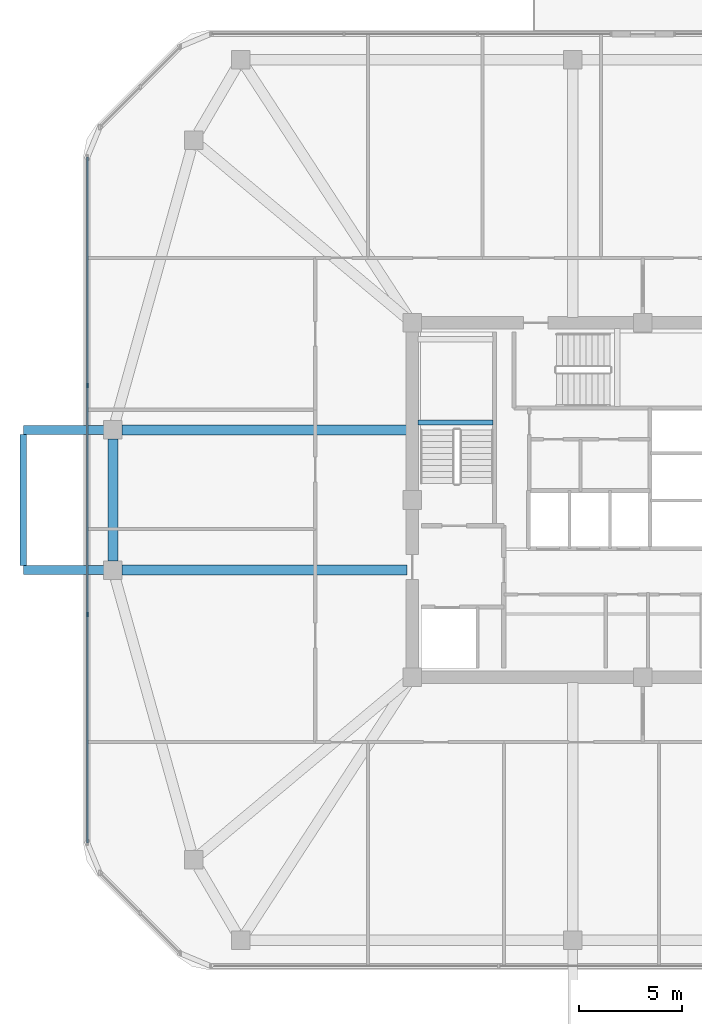
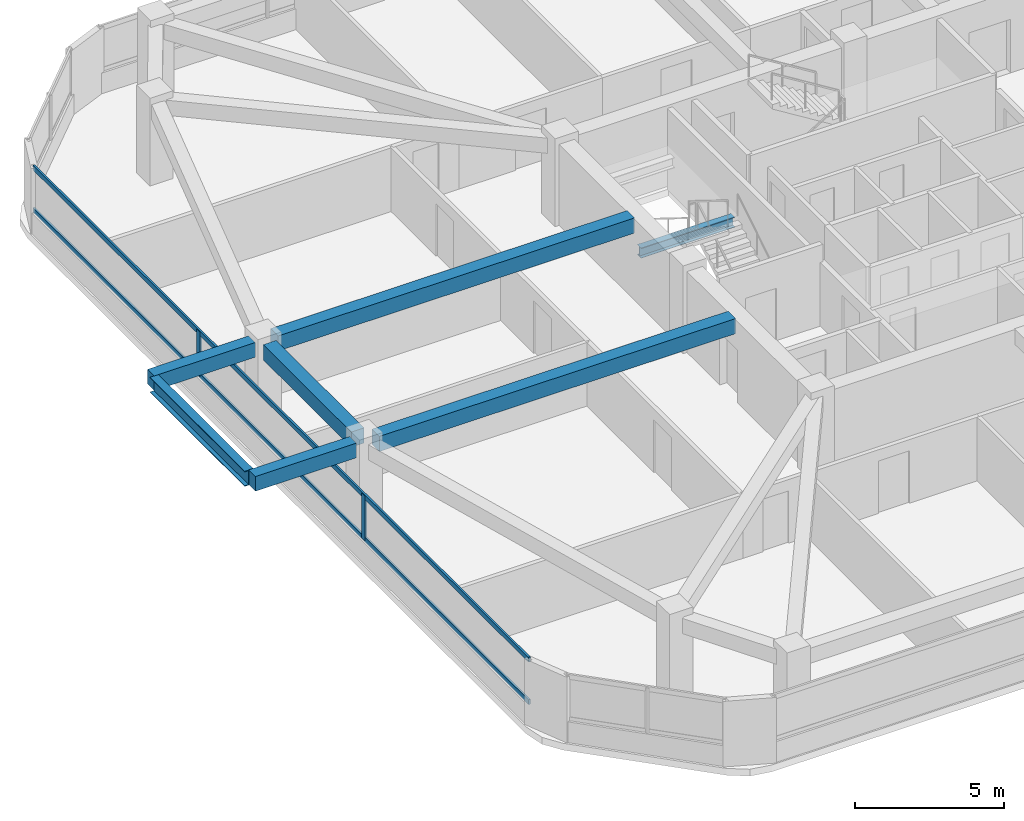
# One storey, part 4 of 14: 7 beams, 4 members, 1 element without a shape of its own.
"""IFC4 building model written with IfcOpenShell, lengths in metres."""

from ifc_helpers import new_model, si_unit, derived_unit, direction, frame, origin, origin_2d, place, context, subcontext, project, spatial, rectangle, i_section, extrude, material, material_profile, profile_set, type_object, element, aggregate, save


model = new_model("IFC4")

# Units and contexts
model_context = context("Model", 3, precision=1e-05, world=origin(), true_north=direction((0.0, 1.0)))
body_context = subcontext(model_context, "Body", "Model", "MODEL_VIEW")
ifc_project = project(units=[si_unit("LENGTHUNIT", "METRE"), si_unit("AREAUNIT", "SQUARE_METRE"), si_unit("VOLUMEUNIT", "CUBIC_METRE"), si_unit("PLANEANGLEUNIT", "RADIAN"), si_unit("MASSUNIT", "GRAM", prefix="KILO"), derived_unit("THERMALTRANSMITTANCEUNIT", [(si_unit("POWERUNIT", "WATT"), 1), (si_unit("LENGTHUNIT", "METRE"), -2), (si_unit("THERMODYNAMICTEMPERATUREUNIT", "KELVIN"), -1)])], contexts=[model_context])

# Site, building, storey
site_placement = place(None, origin())
site = spatial("IfcSite", under=ifc_project, at=site_placement, CompositionType="ELEMENT")
building_placement = place(site_placement, origin())
building = spatial("IfcBuilding", under=site, at=building_placement, Name="Koralith Skygarden Medical Center", CompositionType="ELEMENT")
storey_placement = place(building_placement, frame((0.0, 0.0, 225.179931640625)))
storey = spatial("IfcBuildingStorey", under=building, at=storey_placement, Name="L58", CompositionType="ELEMENT", Elevation=225.179931640625)

# Curtain wall, members
ifc_material_1 = material(Name="Clear Laminated Glass", Category="glass")
curtain_wall_type = type_object("IfcCurtainWallType", Name="CW-5 Zone 4 Flare Biophilic Curtain Wall", PredefinedType="NOTDEFINED", material=ifc_material_1)
curtain_wall_placement = place(storey_placement, origin())
curtain_wall = element("IfcCurtainWall", 1, at=curtain_wall_placement, inside=storey, type_object=curtain_wall_type, Name="Curtain Wall CW-L58-W", PredefinedType="NOTDEFINED")
ifc_material_2 = material(Name="Aluminium 6063-T6", Category="aluminium")
ifc_material_profile_1 = material_profile(ifc_material_2, rectangle(XDim=0.080078125, YDim=0.219970703125, at=origin_2d()), Name="MUL80X220")
ifc_profile_set_1 = profile_set([ifc_material_profile_1], Name="Aluminium 6063-T6")
member_type_1 = type_object("IfcMemberType", Name="CW-5 Extruded Mullion 80x220", PredefinedType="MULLION", material=ifc_profile_set_1)
member_1_placement = place(storey_placement, frame((10.0380859375, 31.447998046875, 0.85009765625), z_axis=(0.0, 0.0, 1.0), x_axis=(1.0, 0.0, 0.0)))
member_1 = element("IfcMember", 2, at=member_1_placement, type_object=member_type_1, Name="CW-L58-W Mullion 2", PredefinedType="MULLION", context=body_context, shape_type="SweptSolid", body=[
    extrude(rectangle(XDim=0.080078125, YDim=0.219970703125, at=origin_2d()), origin(), (0.0, 0.0, 1.0), 1.840087890625),
])
member_2_placement = place(storey_placement, frame((10.0380859375, 20.35205078125, 0.85009765625), z_axis=(0.0, 0.0, 1.0), x_axis=(1.0, 0.0, 0.0)))
member_2 = element("IfcMember", 3, at=member_2_placement, type_object=member_type_1, Name="CW-L58-W Mullion 3", PredefinedType="MULLION", context=body_context, shape_type="SweptSolid", body=[
    extrude(rectangle(XDim=0.080078125, YDim=0.219970703125, at=origin_2d()), origin(), (0.0, 0.0, 1.0), 1.840087890625),
])
ifc_material_profile_2 = material_profile(ifc_material_2, rectangle(XDim=0.074951171875, YDim=0.197998046875, at=origin_2d()), Name="TRN75X198")
ifc_profile_set_2 = profile_set([ifc_material_profile_2], Name="Aluminium 6063-T6")
member_type_2 = type_object("IfcMemberType", Name="CW-5 Thermal Transom 75x198", PredefinedType="USERDEFINED", material=ifc_profile_set_2)
member_3_placement = place(storey_placement, frame((10.0380859375, 42.544921875, 0.900146484375), z_axis=(0.0, -1.0, 0.0), x_axis=(1.0, 0.0, 0.0)))
member_3 = element("IfcMember", 4, at=member_3_placement, type_object=member_type_2, Name="CW-L58-W Transom 1", ObjectType="TRANSOM", PredefinedType="USERDEFINED", context=body_context, shape_type="SweptSolid", body=[
    extrude(rectangle(XDim=0.074951171875, YDim=0.197998046875, at=origin_2d()), origin(), (0.0, 0.0, 1.0), 33.2900390625),
])
member_4_placement = place(storey_placement, frame((10.0380859375, 42.544921875, 2.64013671875), z_axis=(0.0, -1.0, 0.0), x_axis=(1.0, 0.0, 0.0)))
member_4 = element("IfcMember", 5, at=member_4_placement, type_object=member_type_2, Name="CW-L58-W Transom 2", ObjectType="TRANSOM", PredefinedType="USERDEFINED", context=body_context, shape_type="SweptSolid", body=[
    extrude(rectangle(XDim=0.074951171875, YDim=0.197998046875, at=origin_2d()), origin(), (0.0, 0.0, 1.0), 33.2900390625),
])
aggregate(curtain_wall, [member_1, member_2, member_3, member_4])

# Beams
ifc_material_3 = material(Name="Steel ASTM A992 Grade 50", Category="steel")
ifc_material_profile_3 = material_profile(ifc_material_3, i_section(OverallWidth=0.326904296875, OverallDepth=0.6220703125, WebThickness=0.015380859375, FlangeThickness=0.0244140625, at=origin_2d()), Name="W24X131")
ifc_profile_set_3 = profile_set([ifc_material_profile_3], Name="Steel ASTM A992 Grade 50")
beam_type_1 = type_object("IfcBeamType", Name="Cantilever Tie Beam W24X131", PredefinedType="BEAM", material=ifc_profile_set_3)
beam_1_placement = place(storey_placement, frame((6.927978515625, 22.719970703125, 3.029052734375), z_axis=(0.0, 1.0, 0.0), x_axis=(-1.0, 0.0, 0.0)))
element("IfcBeam", 6, at=beam_1_placement, inside=storey, type_object=beam_type_1, Name="L59 W Balcony Tip Tie Beam", PredefinedType="BEAM", context=body_context, shape_type="SweptSolid", body=[
    extrude(i_section(OverallWidth=0.326904296875, OverallDepth=0.6220703125, WebThickness=0.015380859375, FlangeThickness=0.0244140625, at=origin_2d()), origin(), (0.0, 0.0, 1.0), 6.360107421875),
])
ifc_material_profile_4 = material_profile(ifc_material_3, i_section(OverallWidth=0.260009765625, OverallDepth=0.4150390625, WebThickness=0.010009765625, FlangeThickness=0.016845703125, at=origin_2d()), Name="W16X67")
ifc_profile_set_4 = profile_set([ifc_material_profile_4], Name="Steel ASTM A992 Grade 50")
beam_type_2 = type_object("IfcBeamType", Name="Clinical Floor Joist W16X67", PredefinedType="JOIST", material=ifc_profile_set_4)
beam_2_placement = place(storey_placement, frame((26.080078125, 29.659912109375, 1.39208984375), z_axis=(1.0, 0.0, 0.0), x_axis=(0.0, 1.0, 0.0)))
element("IfcBeam", 7, at=beam_2_placement, inside=storey, type_object=beam_type_2, Name="L58 Stair ST1 Half-Landing Support Beam 1A", PredefinedType="JOIST", context=body_context, shape_type="SweptSolid", body=[
    extrude(i_section(OverallWidth=0.260009765625, OverallDepth=0.4150390625, WebThickness=0.010009765625, FlangeThickness=0.016845703125, at=origin_2d()), origin(), (0.0, 0.0, 1.0), 3.639892578125),
])
ifc_material_4 = material(Name="Concrete C45/55", Category="concrete")
ifc_material_profile_5 = material_profile(ifc_material_4, rectangle(XDim=0.449951171875, YDim=0.60009765625, at=origin_2d()), Name="RCB450X600")
ifc_profile_set_5 = profile_set([ifc_material_profile_5], Name="Concrete C45/55")
beam_type_3 = type_object("IfcBeamType", Name="Planted Balcony Cantilever Beam RCB450X600", PredefinedType="BEAM", material=ifc_profile_set_5)
for number, where, z_axis, x_axis, name in (
    (8, (10.847900390625, 22.5, 3.0400390625), (-1.0, 0.0, 0.0), (0.0, -1.0, 0.0), "L59 W Balcony Cantilever Beam A"),
    (9, (10.847900390625, 29.300048828125, 3.0400390625), (-1.0, 0.0, 0.0), (0.0, -1.0, 0.0), "L59 W Balcony Cantilever Beam B"),
):
    element("IfcBeam", number, at=place(storey_placement, frame(where, z_axis=z_axis, x_axis=x_axis)), inside=storey, type_object=beam_type_3, Name=name, PredefinedType="BEAM", context=body_context, shape_type="SweptSolid", body=[
        extrude(rectangle(XDim=0.449951171875, YDim=0.60009765625, at=origin_2d()), origin(), (0.0, 0.0, 1.0), 3.919921875),
    ])
ifc_material_profile_6 = material_profile(ifc_material_4, rectangle(XDim=0.5, YDim=0.6201171875, at=origin_2d()), Name="RCB500X620")
ifc_profile_set_6 = profile_set([ifc_material_profile_6], Name="Concrete C45/55")
beam_type_4 = type_object("IfcBeamType", Name="Upper Radial Collector Beam RCB500X620", PredefinedType="BEAM", material=ifc_profile_set_6)
for number, where, z_axis, x_axis, name in (
    (10, (25.550048828125, 22.5, 3.010009765625), (-1.0, 0.0, 0.0), (0.0, -1.0, 0.0), "L58 Radial Collector Beam RB-01"),
    (11, (25.550048828125, 29.300048828125, 3.010009765625), (-1.0, 0.0, 0.0), (0.0, -1.0, 0.0), "L58 Radial Collector Beam RB-16"),
):
    element("IfcBeam", number, at=place(storey_placement, frame(where, z_axis=z_axis, x_axis=x_axis)), inside=storey, type_object=beam_type_4, Name=name, PredefinedType="BEAM", context=body_context, shape_type="SweptSolid", body=[
        extrude(rectangle(XDim=0.5, YDim=0.6201171875, at=origin_2d()), origin(), (0.0, 0.0, 1.0), 13.83203125),
    ])
ifc_material_profile_7 = material_profile(ifc_material_4, rectangle(XDim=0.5, YDim=0.6201171875, at=origin_2d()), Name="RCB500X620")
ifc_profile_set_7 = profile_set([ifc_material_profile_7], Name="Concrete C45/55")
beam_type_5 = type_object("IfcBeamType", Name="Zone 4-5 Spandrel Beam RCB500X620", PredefinedType="SPANDREL", material=ifc_profile_set_7)
beam_3_placement = place(storey_placement, frame((11.278076171875, 28.860107421875, 3.010009765625), z_axis=(0.0, -1.0, 0.0), x_axis=(1.0, 0.0, 0.0)))
element("IfcBeam", 12, at=beam_3_placement, inside=storey, type_object=beam_type_5, Name="L58 Perimeter Spandrel Beam SP-16", PredefinedType="SPANDREL", context=body_context, shape_type="SweptSolid", body=[
    extrude(rectangle(XDim=0.5, YDim=0.6201171875, at=origin_2d()), origin(), (0.0, 0.0, 1.0), 5.920166015625),
])

save(model, "model.ifc")
